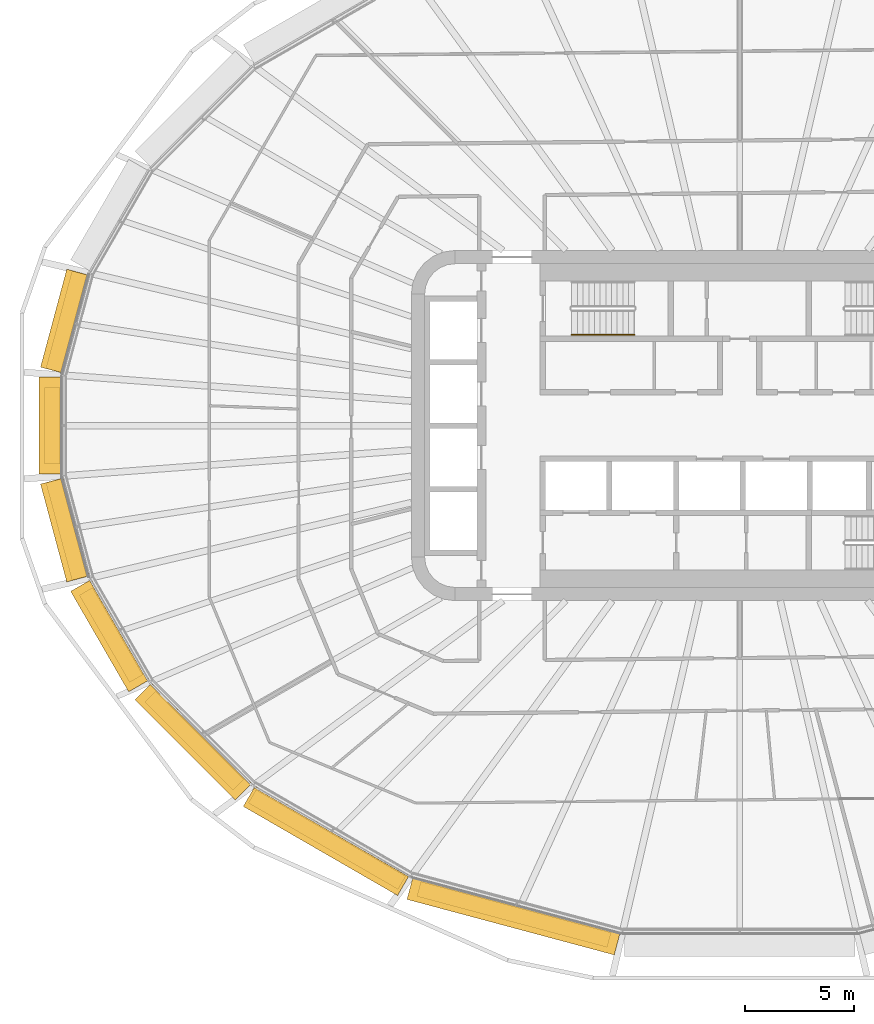
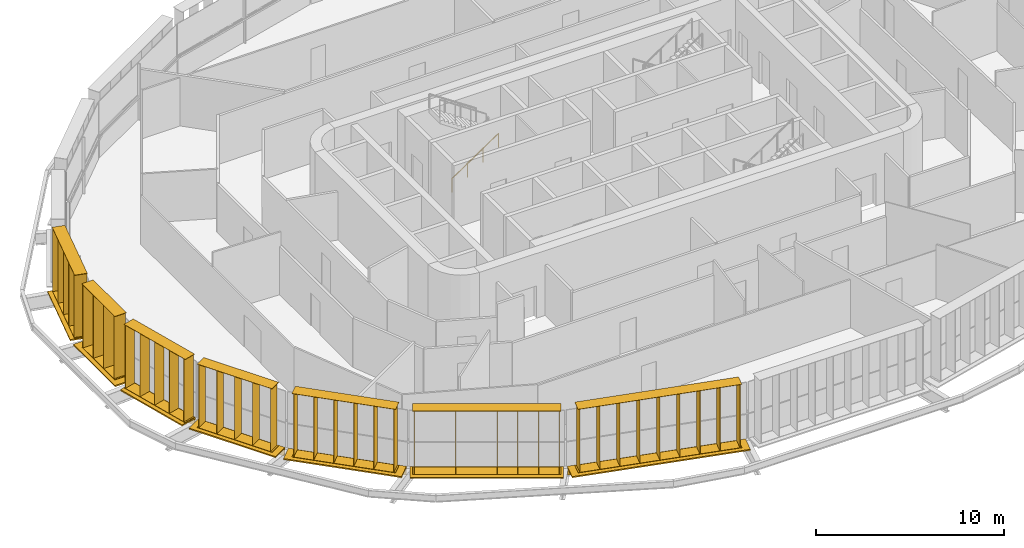
# One storey, part 19 of 24: 14 shading devices, 1 railing.
"""IFC4 building model written with IfcOpenShell, lengths in metres."""

from ifc_helpers import new_model, si_unit, direction, frame, origin, origin_2d, place, context, subcontext, project, spatial, rectangle, circle, extrude, material, type_object, element, save


model = new_model("IFC4")

# Units and contexts
model_context = context("Model", 3, precision=1e-05, world=origin(), true_north=direction((0.0, 1.0)))
body_context = subcontext(model_context, "Body", "Model", "MODEL_VIEW")
ifc_project = project(units=[si_unit("LENGTHUNIT", "METRE"), si_unit("AREAUNIT", "SQUARE_METRE"), si_unit("VOLUMEUNIT", "CUBIC_METRE"), si_unit("PLANEANGLEUNIT", "RADIAN"), si_unit("MASSUNIT", "GRAM", prefix="KILO")], contexts=[model_context])

# Site, building, storey
site_placement = place(None, origin())
site = spatial("IfcSite", under=ifc_project, at=site_placement, CompositionType="ELEMENT")
building_placement = place(site_placement, origin())
building = spatial("IfcBuilding", under=site, at=building_placement, Name="Sahrelin Media Tower", CompositionType="ELEMENT")
storey_placement = place(building_placement, frame((0.0, 0.0, 67.199951171875)))
storey = spatial("IfcBuildingStorey", under=building, at=storey_placement, Name="L11", CompositionType="ELEMENT", Elevation=67.199951171875)

# Shading devices
ifc_material_1 = material(Name="Champagne anodised aluminium 6063-T6", Category="aluminium")
shading_device_type_1 = type_object("IfcShadingDeviceType", Name="Fin cassette", PredefinedType="USERDEFINED", material=ifc_material_1)
placement_1 = place(storey_placement, frame((-30.3544921875, 4.642333984375, 0.0), z_axis=(0.0, 0.0, 1.0), x_axis=(0.258807731996, 0.965928857556, 0.0)))
element("IfcShadingDevice", 1, at=placement_1, inside=storey, type_object=shading_device_type_1, Name="L11:FIN:L11-11", ObjectType="FIN", PredefinedType="USERDEFINED", context=body_context, shape_type="SweptSolid", body=[
    extrude(rectangle(XDim=4.60009765625, YDim=0.699951171875, at=origin_2d()), frame((0.0, 0.419921875, 0.0)), (0.0, 0.0, 1.0), 0.02001953125),
    extrude(rectangle(XDim=4.60009765625, YDim=0.699951171875, at=origin_2d()), frame((0.0, 0.419921875, 4.10009765625)), (0.0, 0.0, 1.0), 0.02001953125),
    extrude(rectangle(XDim=0.02001953125, YDim=0.699951171875, at=origin_2d()), frame((-2.199951171875, 0.419921875, 0.010009765625), z_axis=(0.0, 0.0, 1.0), x_axis=(1.0, 0.0, 0.0)), (0.0, 0.0, 1.0), 4.10009765625),
    extrude(rectangle(XDim=0.02001953125, YDim=0.699951171875, at=origin_2d()), frame((-1.10009765625, 0.419921875, 0.010009765625), z_axis=(0.0, 0.0, 1.0), x_axis=(1.0, 0.0, 0.0)), (0.0, 0.0, 1.0), 4.10009765625),
    extrude(rectangle(XDim=0.02001953125, YDim=0.699951171875, at=origin_2d()), frame((0.0, 0.419921875, 0.010009765625), z_axis=(0.0, 0.0, 1.0), x_axis=(1.0, 0.0, 0.0)), (0.0, 0.0, 1.0), 4.10009765625),
    extrude(rectangle(XDim=0.02001953125, YDim=0.699951171875, at=origin_2d()), frame((1.10009765625, 0.419921875, 0.010009765625), z_axis=(0.0, 0.0, 1.0), x_axis=(1.0, 0.0, 0.0)), (0.0, 0.0, 1.0), 4.10009765625),
    extrude(rectangle(XDim=0.02001953125, YDim=0.699951171875, at=origin_2d()), frame((2.199951171875, 0.419921875, 0.010009765625), z_axis=(0.0, 0.0, 1.0), x_axis=(1.0, 0.0, 0.0)), (0.0, 0.0, 1.0), 4.10009765625),
])
placement_2 = place(storey_placement, frame((-30.979736328125, 0.0, 0.0), z_axis=(0.0, 0.0, 1.0), x_axis=(0.0, 1.0, 0.0)))
element("IfcShadingDevice", 2, at=placement_2, inside=storey, type_object=shading_device_type_1, Name="L11:FIN:L11-12", ObjectType="FIN", PredefinedType="USERDEFINED", context=body_context, shape_type="SweptSolid", body=[
    extrude(rectangle(XDim=3.5, YDim=0.699951171875, at=origin_2d()), frame((0.0, 0.419921875, 0.0)), (0.0, 0.0, 1.0), 0.02001953125),
    extrude(rectangle(XDim=3.5, YDim=0.699951171875, at=origin_2d()), frame((0.0, 0.419921875, 4.10009765625)), (0.0, 0.0, 1.0), 0.02001953125),
    extrude(rectangle(XDim=0.02001953125, YDim=0.699951171875, at=origin_2d()), frame((-1.64990234375, 0.419921875, 0.010009765625), z_axis=(0.0, 0.0, 1.0), x_axis=(1.0, 0.0, 0.0)), (0.0, 0.0, 1.0), 4.10009765625),
    extrude(rectangle(XDim=0.02001953125, YDim=0.699951171875, at=origin_2d()), frame((-0.550048828125, 0.419921875, 0.010009765625), z_axis=(0.0, 0.0, 1.0), x_axis=(1.0, 0.0, 0.0)), (0.0, 0.0, 1.0), 4.10009765625),
    extrude(rectangle(XDim=0.02001953125, YDim=0.699951171875, at=origin_2d()), frame((0.550048828125, 0.419921875, 0.010009765625), z_axis=(0.0, 0.0, 1.0), x_axis=(1.0, 0.0, 0.0)), (0.0, 0.0, 1.0), 4.10009765625),
    extrude(rectangle(XDim=0.02001953125, YDim=0.699951171875, at=origin_2d()), frame((1.64990234375, 0.419921875, 0.010009765625), z_axis=(0.0, 0.0, 1.0), x_axis=(1.0, 0.0, 0.0)), (0.0, 0.0, 1.0), 4.10009765625),
])
placement_3 = place(storey_placement, frame((-30.354736328125, -4.642333984375, 0.0), z_axis=(0.0, 0.0, 1.0), x_axis=(-0.258807731996, 0.965928857556, 0.0)))
element("IfcShadingDevice", 3, at=placement_3, inside=storey, type_object=shading_device_type_1, Name="L11:FIN:L11-13", ObjectType="FIN", PredefinedType="USERDEFINED", context=body_context, shape_type="SweptSolid", body=[
    extrude(rectangle(XDim=4.60009765625, YDim=0.699951171875, at=origin_2d()), frame((0.0, 0.419921875, 0.0)), (0.0, 0.0, 1.0), 0.02001953125),
    extrude(rectangle(XDim=4.60009765625, YDim=0.699951171875, at=origin_2d()), frame((0.0, 0.419921875, 4.10009765625)), (0.0, 0.0, 1.0), 0.02001953125),
    extrude(rectangle(XDim=0.02001953125, YDim=0.699951171875, at=origin_2d()), frame((-2.199951171875, 0.419921875, 0.010009765625), z_axis=(0.0, 0.0, 1.0), x_axis=(1.0, 0.0, 0.0)), (0.0, 0.0, 1.0), 4.10009765625),
    extrude(rectangle(XDim=0.02001953125, YDim=0.699951171875, at=origin_2d()), frame((-1.10009765625, 0.419921875, 0.010009765625), z_axis=(0.0, 0.0, 1.0), x_axis=(1.0, 0.0, 0.0)), (0.0, 0.0, 1.0), 4.10009765625),
    extrude(rectangle(XDim=0.02001953125, YDim=0.699951171875, at=origin_2d()), frame((0.0, 0.419921875, 0.010009765625), z_axis=(0.0, 0.0, 1.0), x_axis=(1.0, 0.0, 0.0)), (0.0, 0.0, 1.0), 4.10009765625),
    extrude(rectangle(XDim=0.02001953125, YDim=0.699951171875, at=origin_2d()), frame((1.10009765625, 0.419921875, 0.010009765625), z_axis=(0.0, 0.0, 1.0), x_axis=(1.0, 0.0, 0.0)), (0.0, 0.0, 1.0), 4.10009765625),
    extrude(rectangle(XDim=0.02001953125, YDim=0.699951171875, at=origin_2d()), frame((2.199951171875, 0.419921875, 0.010009765625), z_axis=(0.0, 0.0, 1.0), x_axis=(1.0, 0.0, 0.0)), (0.0, 0.0, 1.0), 4.10009765625),
])
placement_4 = place(storey_placement, frame((-28.354736328125, -9.356689453125, 0.0), z_axis=(0.0, 0.0, 1.0), x_axis=(-0.500011000363, 0.866019052629, 0.0)))
element("IfcShadingDevice", 4, at=placement_4, inside=storey, type_object=shading_device_type_1, Name="L11:FIN:L11-14", ObjectType="FIN", PredefinedType="USERDEFINED", context=body_context, shape_type="SweptSolid", body=[
    extrude(rectangle(XDim=4.60009765625, YDim=0.699951171875, at=origin_2d()), frame((0.0, 0.419921875, 0.0)), (0.0, 0.0, 1.0), 0.02001953125),
    extrude(rectangle(XDim=4.60009765625, YDim=0.699951171875, at=origin_2d()), frame((0.0, 0.419921875, 4.10009765625)), (0.0, 0.0, 1.0), 0.02001953125),
    extrude(rectangle(XDim=0.02001953125, YDim=0.699951171875, at=origin_2d()), frame((-2.199951171875, 0.419921875, 0.010009765625), z_axis=(0.0, 0.0, 1.0), x_axis=(1.0, 0.0, 0.0)), (0.0, 0.0, 1.0), 4.10009765625),
    extrude(rectangle(XDim=0.02001953125, YDim=0.699951171875, at=origin_2d()), frame((-1.10009765625, 0.419921875, 0.010009765625), z_axis=(0.0, 0.0, 1.0), x_axis=(1.0, 0.0, 0.0)), (0.0, 0.0, 1.0), 4.10009765625),
    extrude(rectangle(XDim=0.02001953125, YDim=0.699951171875, at=origin_2d()), frame((0.0, 0.419921875, 0.010009765625), z_axis=(0.0, 0.0, 1.0), x_axis=(1.0, 0.0, 0.0)), (0.0, 0.0, 1.0), 4.10009765625),
    extrude(rectangle(XDim=0.02001953125, YDim=0.699951171875, at=origin_2d()), frame((1.10009765625, 0.419921875, 0.010009765625), z_axis=(0.0, 0.0, 1.0), x_axis=(1.0, 0.0, 0.0)), (0.0, 0.0, 1.0), 4.10009765625),
    extrude(rectangle(XDim=0.02001953125, YDim=0.699951171875, at=origin_2d()), frame((2.199951171875, 0.419921875, 0.010009765625), z_axis=(0.0, 0.0, 1.0), x_axis=(1.0, 0.0, 0.0)), (0.0, 0.0, 1.0), 4.10009765625),
])
placement_5 = place(storey_placement, frame((-24.616455078125, -14.101318359375, 0.0), z_axis=(0.0, 0.0, 1.0), x_axis=(-0.707106781187, 0.707106781187, 0.0)))
element("IfcShadingDevice", 5, at=placement_5, inside=storey, type_object=shading_device_type_1, Name="L11:FIN:L11-15", ObjectType="FIN", PredefinedType="USERDEFINED", context=body_context, shape_type="SweptSolid", body=[
    extrude(rectangle(XDim=5.699951171875, YDim=0.699951171875, at=origin_2d()), frame((0.0, 0.419921875, 0.0)), (0.0, 0.0, 1.0), 0.02001953125),
    extrude(rectangle(XDim=5.699951171875, YDim=0.699951171875, at=origin_2d()), frame((0.0, 0.419921875, 4.10009765625)), (0.0, 0.0, 1.0), 0.02001953125),
    extrude(rectangle(XDim=0.02001953125, YDim=0.699951171875, at=origin_2d()), frame((-2.75, 0.419921875, 0.010009765625), z_axis=(0.0, 0.0, 1.0), x_axis=(1.0, 0.0, 0.0)), (0.0, 0.0, 1.0), 4.10009765625),
    extrude(rectangle(XDim=0.02001953125, YDim=0.699951171875, at=origin_2d()), frame((-1.64990234375, 0.419921875, 0.010009765625), z_axis=(0.0, 0.0, 1.0), x_axis=(1.0, 0.0, 0.0)), (0.0, 0.0, 1.0), 4.10009765625),
    extrude(rectangle(XDim=0.02001953125, YDim=0.699951171875, at=origin_2d()), frame((-0.550048828125, 0.419921875, 0.010009765625), z_axis=(0.0, 0.0, 1.0), x_axis=(1.0, 0.0, 0.0)), (0.0, 0.0, 1.0), 4.10009765625),
    extrude(rectangle(XDim=0.02001953125, YDim=0.699951171875, at=origin_2d()), frame((0.550048828125, 0.419921875, 0.010009765625), z_axis=(0.0, 0.0, 1.0), x_axis=(1.0, 0.0, 0.0)), (0.0, 0.0, 1.0), 4.10009765625),
    extrude(rectangle(XDim=0.02001953125, YDim=0.699951171875, at=origin_2d()), frame((1.64990234375, 0.419921875, 0.010009765625), z_axis=(0.0, 0.0, 1.0), x_axis=(1.0, 0.0, 0.0)), (0.0, 0.0, 1.0), 4.10009765625),
    extrude(rectangle(XDim=0.02001953125, YDim=0.699951171875, at=origin_2d()), frame((2.75, 0.419921875, 0.010009765625), z_axis=(0.0, 0.0, 1.0), x_axis=(1.0, 0.0, 0.0)), (0.0, 0.0, 1.0), 4.10009765625),
])
placement_6 = place(storey_placement, frame((-18.6416015625, -18.5498046875, 0.0), z_axis=(0.0, 0.0, 1.0), x_axis=(-0.866019052629, 0.500011000363, 0.0)))
element("IfcShadingDevice", 6, at=placement_6, inside=storey, type_object=shading_device_type_1, Name="L11:FIN:L11-16", ObjectType="FIN", PredefinedType="USERDEFINED", context=body_context, shape_type="SweptSolid", body=[
    extrude(rectangle(XDim=7.89990234375, YDim=0.699951171875, at=origin_2d()), frame((0.0, 0.419921875, 0.0)), (0.0, 0.0, 1.0), 0.02001953125),
    extrude(rectangle(XDim=7.89990234375, YDim=0.699951171875, at=origin_2d()), frame((0.0, 0.419921875, 4.10009765625)), (0.0, 0.0, 1.0), 0.02001953125),
    extrude(rectangle(XDim=0.02001953125, YDim=0.699951171875, at=origin_2d()), frame((-3.85009765625, 0.419921875, 0.010009765625), z_axis=(0.0, 0.0, 1.0), x_axis=(1.0, 0.0, 0.0)), (0.0, 0.0, 1.0), 4.10009765625),
    extrude(rectangle(XDim=0.02001953125, YDim=0.699951171875, at=origin_2d()), frame((-2.75, 0.419921875, 0.010009765625), z_axis=(0.0, 0.0, 1.0), x_axis=(1.0, 0.0, 0.0)), (0.0, 0.0, 1.0), 4.10009765625),
    extrude(rectangle(XDim=0.02001953125, YDim=0.699951171875, at=origin_2d()), frame((-1.64990234375, 0.419921875, 0.010009765625), z_axis=(0.0, 0.0, 1.0), x_axis=(1.0, 0.0, 0.0)), (0.0, 0.0, 1.0), 4.10009765625),
    extrude(rectangle(XDim=0.02001953125, YDim=0.699951171875, at=origin_2d()), frame((-0.550048828125, 0.419921875, 0.010009765625), z_axis=(0.0, 0.0, 1.0), x_axis=(1.0, 0.0, 0.0)), (0.0, 0.0, 1.0), 4.10009765625),
    extrude(rectangle(XDim=0.02001953125, YDim=0.699951171875, at=origin_2d()), frame((0.550048828125, 0.419921875, 0.010009765625), z_axis=(0.0, 0.0, 1.0), x_axis=(1.0, 0.0, 0.0)), (0.0, 0.0, 1.0), 4.10009765625),
    extrude(rectangle(XDim=0.02001953125, YDim=0.699951171875, at=origin_2d()), frame((1.64990234375, 0.419921875, 0.010009765625), z_axis=(0.0, 0.0, 1.0), x_axis=(1.0, 0.0, 0.0)), (0.0, 0.0, 1.0), 4.10009765625),
    extrude(rectangle(XDim=0.02001953125, YDim=0.699951171875, at=origin_2d()), frame((2.75, 0.419921875, 0.010009765625), z_axis=(0.0, 0.0, 1.0), x_axis=(1.0, 0.0, 0.0)), (0.0, 0.0, 1.0), 4.10009765625),
    extrude(rectangle(XDim=0.02001953125, YDim=0.699951171875, at=origin_2d()), frame((3.85009765625, 0.419921875, 0.010009765625), z_axis=(0.0, 0.0, 1.0), x_axis=(1.0, 0.0, 0.0)), (0.0, 0.0, 1.0), 4.10009765625),
])
placement_7 = place(storey_placement, frame((-10.200439453125, -21.928955078125, 0.0), z_axis=(0.0, 0.0, 1.0), x_axis=(-0.965928857556, 0.258807731996, 0.0)))
element("IfcShadingDevice", 7, at=placement_7, inside=storey, type_object=shading_device_type_1, Name="L11:FIN:L11-17", ObjectType="FIN", PredefinedType="USERDEFINED", context=body_context, shape_type="SweptSolid", body=[
    extrude(rectangle(XDim=9.0, YDim=0.699951171875, at=origin_2d()), frame((0.0, 0.419921875, 0.0)), (0.0, 0.0, 1.0), 0.02001953125),
    extrude(rectangle(XDim=9.0, YDim=0.699951171875, at=origin_2d()), frame((0.0, 0.419921875, 4.10009765625)), (0.0, 0.0, 1.0), 0.02001953125),
    extrude(rectangle(XDim=0.02001953125, YDim=0.699951171875, at=origin_2d()), frame((-4.39990234375, 0.419921875, 0.010009765625), z_axis=(0.0, 0.0, 1.0), x_axis=(1.0, 0.0, 0.0)), (0.0, 0.0, 1.0), 4.10009765625),
    extrude(rectangle(XDim=0.02001953125, YDim=0.699951171875, at=origin_2d()), frame((-3.300048828125, 0.419921875, 0.010009765625), z_axis=(0.0, 0.0, 1.0), x_axis=(1.0, 0.0, 0.0)), (0.0, 0.0, 1.0), 4.10009765625),
    extrude(rectangle(XDim=0.02001953125, YDim=0.699951171875, at=origin_2d()), frame((-2.199951171875, 0.419921875, 0.010009765625), z_axis=(0.0, 0.0, 1.0), x_axis=(1.0, 0.0, 0.0)), (0.0, 0.0, 1.0), 4.10009765625),
    extrude(rectangle(XDim=0.02001953125, YDim=0.699951171875, at=origin_2d()), frame((-1.10009765625, 0.419921875, 0.010009765625), z_axis=(0.0, 0.0, 1.0), x_axis=(1.0, 0.0, 0.0)), (0.0, 0.0, 1.0), 4.10009765625),
    extrude(rectangle(XDim=0.02001953125, YDim=0.699951171875, at=origin_2d()), frame((0.0, 0.419921875, 0.010009765625), z_axis=(0.0, 0.0, 1.0), x_axis=(1.0, 0.0, 0.0)), (0.0, 0.0, 1.0), 4.10009765625),
    extrude(rectangle(XDim=0.02001953125, YDim=0.699951171875, at=origin_2d()), frame((1.10009765625, 0.419921875, 0.010009765625), z_axis=(0.0, 0.0, 1.0), x_axis=(1.0, 0.0, 0.0)), (0.0, 0.0, 1.0), 4.10009765625),
    extrude(rectangle(XDim=0.02001953125, YDim=0.699951171875, at=origin_2d()), frame((2.199951171875, 0.419921875, 0.010009765625), z_axis=(0.0, 0.0, 1.0), x_axis=(1.0, 0.0, 0.0)), (0.0, 0.0, 1.0), 4.10009765625),
    extrude(rectangle(XDim=0.02001953125, YDim=0.699951171875, at=origin_2d()), frame((3.300048828125, 0.419921875, 0.010009765625), z_axis=(0.0, 0.0, 1.0), x_axis=(1.0, 0.0, 0.0)), (0.0, 0.0, 1.0), 4.10009765625),
    extrude(rectangle(XDim=0.02001953125, YDim=0.699951171875, at=origin_2d()), frame((4.39990234375, 0.419921875, 0.010009765625), z_axis=(0.0, 0.0, 1.0), x_axis=(1.0, 0.0, 0.0)), (0.0, 0.0, 1.0), 4.10009765625),
])

# Railing
ifc_material_2 = material(Name="Steel S355", Category="steel")
railing_type = type_object("IfcRailingType", Name="Stair handrail 900", PredefinedType="HANDRAIL", material=ifc_material_2)
railing_placement = place(storey_placement, frame((-7.675048828125, 4.14990234375, 0.175048828125)))
element("IfcRailing", 8, at=railing_placement, inside=storey, type_object=railing_type, Name="L11 ST1 stair handrail 1", PredefinedType="HANDRAIL", context=body_context, shape_type="SweptSolid", body=[
    extrude(circle(Radius=0.02392578125, at=origin_2d()), frame((0.0, 0.0, 0.8759765625), z_axis=(0.829590901723, 0.0, 0.558371682465), x_axis=(0.0, 1.0, 0.0)), (0.0, 0.0, 1.0), 3.447509765625),
    extrude(circle(Radius=0.02099609375, at=origin_2d()), origin(), (0.0, 0.0, 1.0), 0.851806640625),
    extrude(circle(Radius=0.02099609375, at=origin_2d()), frame((0.953369140625, 0.0, 0.6416015625)), (0.0, 0.0, 1.0), 0.851806640625),
    extrude(circle(Radius=0.02099609375, at=origin_2d()), frame((1.90673828125, 0.0, 1.283447265625)), (0.0, 0.0, 1.0), 0.851806640625),
    extrude(circle(Radius=0.02099609375, at=origin_2d()), frame((2.860107421875, 0.0, 1.925048828125)), (0.0, 0.0, 1.0), 0.851806640625),
])

# Shading devices
shading_device_type_2 = type_object("IfcShadingDeviceType", Name="Sunshade band", PredefinedType="USERDEFINED", material=ifc_material_1)
element("IfcShadingDevice", 9, at=placement_1, inside=storey, type_object=shading_device_type_2, Name="L11:SUN:L11-11", ObjectType="SUNSHADE", PredefinedType="USERDEFINED", context=body_context, shape_type="SweptSolid", body=[
    extrude(rectangle(XDim=4.630859375, YDim=0.050048828125, at=origin_2d()), frame((0.0, 0.044921875, -0.55126953125)), (0.0, 0.0, 1.0), 0.471435546875),
    extrude(rectangle(XDim=4.630859375, YDim=1.0, at=origin_2d()), frame((0.0, 0.52001953125, -0.080078125)), (0.0, 0.0, 1.0), 0.080078125),
    extrude(rectangle(XDim=0.10009765625, YDim=0.074951171875, at=origin_2d()), frame((-2.21533203125, -0.017578125, -0.47021484375)), (0.0, 0.0, 1.0), 0.300048828125),
    extrude(rectangle(XDim=0.10009765625, YDim=0.074951171875, at=origin_2d()), frame((-0.738525390625, -0.017578125, -0.47021484375)), (0.0, 0.0, 1.0), 0.300048828125),
    extrude(rectangle(XDim=0.10009765625, YDim=0.074951171875, at=origin_2d()), frame((0.738525390625, -0.017578125, -0.47021484375)), (0.0, 0.0, 1.0), 0.300048828125),
    extrude(rectangle(XDim=0.10009765625, YDim=0.074951171875, at=origin_2d()), frame((2.21533203125, -0.017578125, -0.47021484375)), (0.0, 0.0, 1.0), 0.300048828125),
])
element("IfcShadingDevice", 10, at=placement_2, inside=storey, type_object=shading_device_type_2, Name="L11:SUN:L11-12", ObjectType="SUNSHADE", PredefinedType="USERDEFINED", context=body_context, shape_type="SweptSolid", body=[
    extrude(rectangle(XDim=4.418701171875, YDim=0.050048828125, at=origin_2d()), frame((0.0, 0.044921875, -0.55126953125)), (0.0, 0.0, 1.0), 0.471435546875),
    extrude(rectangle(XDim=4.418701171875, YDim=1.0, at=origin_2d()), frame((0.0, 0.52001953125, -0.080078125)), (0.0, 0.0, 1.0), 0.080078125),
    extrude(rectangle(XDim=0.10009765625, YDim=0.074951171875, at=origin_2d()), frame((-2.109375, -0.017578125, -0.47021484375)), (0.0, 0.0, 1.0), 0.300048828125),
    extrude(rectangle(XDim=0.10009765625, YDim=0.074951171875, at=origin_2d()), frame((-0.703125, -0.017578125, -0.47021484375)), (0.0, 0.0, 1.0), 0.300048828125),
    extrude(rectangle(XDim=0.10009765625, YDim=0.074951171875, at=origin_2d()), frame((0.703125, -0.017578125, -0.47021484375)), (0.0, 0.0, 1.0), 0.300048828125),
    extrude(rectangle(XDim=0.10009765625, YDim=0.074951171875, at=origin_2d()), frame((2.109375, -0.017578125, -0.47021484375)), (0.0, 0.0, 1.0), 0.300048828125),
])
element("IfcShadingDevice", 11, at=placement_3, inside=storey, type_object=shading_device_type_2, Name="L11:SUN:L11-13", ObjectType="SUNSHADE", PredefinedType="USERDEFINED", context=body_context, shape_type="SweptSolid", body=[
    extrude(rectangle(XDim=4.630859375, YDim=0.050048828125, at=origin_2d()), frame((0.0, 0.044921875, -0.55126953125)), (0.0, 0.0, 1.0), 0.471435546875),
    extrude(rectangle(XDim=4.630859375, YDim=1.0, at=origin_2d()), frame((0.0, 0.52001953125, -0.080078125)), (0.0, 0.0, 1.0), 0.080078125),
    extrude(rectangle(XDim=0.10009765625, YDim=0.074951171875, at=origin_2d()), frame((-2.21533203125, -0.017578125, -0.47021484375)), (0.0, 0.0, 1.0), 0.300048828125),
    extrude(rectangle(XDim=0.10009765625, YDim=0.074951171875, at=origin_2d()), frame((-0.738525390625, -0.017578125, -0.47021484375)), (0.0, 0.0, 1.0), 0.300048828125),
    extrude(rectangle(XDim=0.10009765625, YDim=0.074951171875, at=origin_2d()), frame((0.738525390625, -0.017578125, -0.47021484375)), (0.0, 0.0, 1.0), 0.300048828125),
    extrude(rectangle(XDim=0.10009765625, YDim=0.074951171875, at=origin_2d()), frame((2.21533203125, -0.017578125, -0.47021484375)), (0.0, 0.0, 1.0), 0.300048828125),
])
element("IfcShadingDevice", 12, at=placement_4, inside=storey, type_object=shading_device_type_2, Name="L11:SUN:L11-14", ObjectType="SUNSHADE", PredefinedType="USERDEFINED", context=body_context, shape_type="SweptSolid", body=[
    extrude(rectangle(XDim=5.299072265625, YDim=0.050048828125, at=origin_2d()), frame((0.0, 0.044921875, -0.55126953125)), (0.0, 0.0, 1.0), 0.471435546875),
    extrude(rectangle(XDim=5.299072265625, YDim=1.0, at=origin_2d()), frame((0.0, 0.52001953125, -0.080078125)), (0.0, 0.0, 1.0), 0.080078125),
    extrude(rectangle(XDim=0.10009765625, YDim=0.074951171875, at=origin_2d()), frame((-2.549560546875, -0.017578125, -0.47021484375)), (0.0, 0.0, 1.0), 0.300048828125),
    extrude(rectangle(XDim=0.10009765625, YDim=0.074951171875, at=origin_2d()), frame((-0.849853515625, -0.017578125, -0.47021484375)), (0.0, 0.0, 1.0), 0.300048828125),
    extrude(rectangle(XDim=0.10009765625, YDim=0.074951171875, at=origin_2d()), frame((0.849853515625, -0.017578125, -0.47021484375)), (0.0, 0.0, 1.0), 0.300048828125),
    extrude(rectangle(XDim=0.10009765625, YDim=0.074951171875, at=origin_2d()), frame((2.549560546875, -0.017578125, -0.47021484375)), (0.0, 0.0, 1.0), 0.300048828125),
])
element("IfcShadingDevice", 13, at=placement_5, inside=storey, type_object=shading_device_type_2, Name="L11:SUN:L11-15", ObjectType="SUNSHADE", PredefinedType="USERDEFINED", context=body_context, shape_type="SweptSolid", body=[
    extrude(rectangle(XDim=6.4853515625, YDim=0.050048828125, at=origin_2d()), frame((0.0, 0.044921875, -0.55126953125)), (0.0, 0.0, 1.0), 0.471435546875),
    extrude(rectangle(XDim=6.4853515625, YDim=1.0, at=origin_2d()), frame((0.0, 0.52001953125, -0.080078125)), (0.0, 0.0, 1.0), 0.080078125),
    extrude(rectangle(XDim=0.10009765625, YDim=0.074951171875, at=origin_2d()), frame((-3.142578125, -0.017578125, -0.47021484375)), (0.0, 0.0, 1.0), 0.300048828125),
    extrude(rectangle(XDim=0.10009765625, YDim=0.074951171875, at=origin_2d()), frame((-1.5712890625, -0.017578125, -0.47021484375)), (0.0, 0.0, 1.0), 0.300048828125),
    extrude(rectangle(XDim=0.10009765625, YDim=0.074951171875, at=origin_2d()), frame((0.0, -0.017578125, -0.47021484375)), (0.0, 0.0, 1.0), 0.300048828125),
    extrude(rectangle(XDim=0.10009765625, YDim=0.074951171875, at=origin_2d()), frame((1.5712890625, -0.017578125, -0.47021484375)), (0.0, 0.0, 1.0), 0.300048828125),
    extrude(rectangle(XDim=0.10009765625, YDim=0.074951171875, at=origin_2d()), frame((3.142578125, -0.017578125, -0.47021484375)), (0.0, 0.0, 1.0), 0.300048828125),
])
element("IfcShadingDevice", 14, at=placement_6, inside=storey, type_object=shading_device_type_2, Name="L11:SUN:L11-16", ObjectType="SUNSHADE", PredefinedType="USERDEFINED", context=body_context, shape_type="SweptSolid", body=[
    extrude(rectangle(XDim=8.139404296875, YDim=0.050048828125, at=origin_2d()), frame((0.0, 0.044921875, -0.55126953125)), (0.0, 0.0, 1.0), 0.471435546875),
    extrude(rectangle(XDim=8.139404296875, YDim=1.0, at=origin_2d()), frame((0.0, 0.52001953125, -0.080078125)), (0.0, 0.0, 1.0), 0.080078125),
    extrude(rectangle(XDim=0.10009765625, YDim=0.074951171875, at=origin_2d()), frame((-3.9697265625, -0.017578125, -0.47021484375)), (0.0, 0.0, 1.0), 0.300048828125),
    extrude(rectangle(XDim=0.10009765625, YDim=0.074951171875, at=origin_2d()), frame((-2.3818359375, -0.017578125, -0.47021484375)), (0.0, 0.0, 1.0), 0.300048828125),
    extrude(rectangle(XDim=0.10009765625, YDim=0.074951171875, at=origin_2d()), frame((-0.7939453125, -0.017578125, -0.47021484375)), (0.0, 0.0, 1.0), 0.300048828125),
    extrude(rectangle(XDim=0.10009765625, YDim=0.074951171875, at=origin_2d()), frame((0.7939453125, -0.017578125, -0.47021484375)), (0.0, 0.0, 1.0), 0.300048828125),
    extrude(rectangle(XDim=0.10009765625, YDim=0.074951171875, at=origin_2d()), frame((2.3818359375, -0.017578125, -0.47021484375)), (0.0, 0.0, 1.0), 0.300048828125),
    extrude(rectangle(XDim=0.10009765625, YDim=0.074951171875, at=origin_2d()), frame((3.9697265625, -0.017578125, -0.47021484375)), (0.0, 0.0, 1.0), 0.300048828125),
])
element("IfcShadingDevice", 15, at=placement_7, inside=storey, type_object=shading_device_type_2, Name="L11:SUN:L11-17", ObjectType="SUNSHADE", PredefinedType="USERDEFINED", context=body_context, shape_type="SweptSolid", body=[
    extrude(rectangle(XDim=9.801025390625, YDim=0.050048828125, at=origin_2d()), frame((0.0, 0.044921875, -0.55126953125)), (0.0, 0.0, 1.0), 0.471435546875),
    extrude(rectangle(XDim=9.801025390625, YDim=1.0, at=origin_2d()), frame((0.0, 0.52001953125, -0.080078125)), (0.0, 0.0, 1.0), 0.080078125),
    extrude(rectangle(XDim=0.10009765625, YDim=0.074951171875, at=origin_2d()), frame((-4.800537109375, -0.017578125, -0.47021484375)), (0.0, 0.0, 1.0), 0.300048828125),
    extrude(rectangle(XDim=0.10009765625, YDim=0.074951171875, at=origin_2d()), frame((-2.88037109375, -0.017578125, -0.47021484375)), (0.0, 0.0, 1.0), 0.300048828125),
    extrude(rectangle(XDim=0.10009765625, YDim=0.074951171875, at=origin_2d()), frame((-0.960205078125, -0.017578125, -0.47021484375)), (0.0, 0.0, 1.0), 0.300048828125),
    extrude(rectangle(XDim=0.10009765625, YDim=0.074951171875, at=origin_2d()), frame((0.960205078125, -0.017578125, -0.47021484375)), (0.0, 0.0, 1.0), 0.300048828125),
    extrude(rectangle(XDim=0.10009765625, YDim=0.074951171875, at=origin_2d()), frame((2.88037109375, -0.017578125, -0.47021484375)), (0.0, 0.0, 1.0), 0.300048828125),
    extrude(rectangle(XDim=0.10009765625, YDim=0.074951171875, at=origin_2d()), frame((4.800537109375, -0.017578125, -0.47021484375)), (0.0, 0.0, 1.0), 0.300048828125),
])

save(model, "model.ifc")
